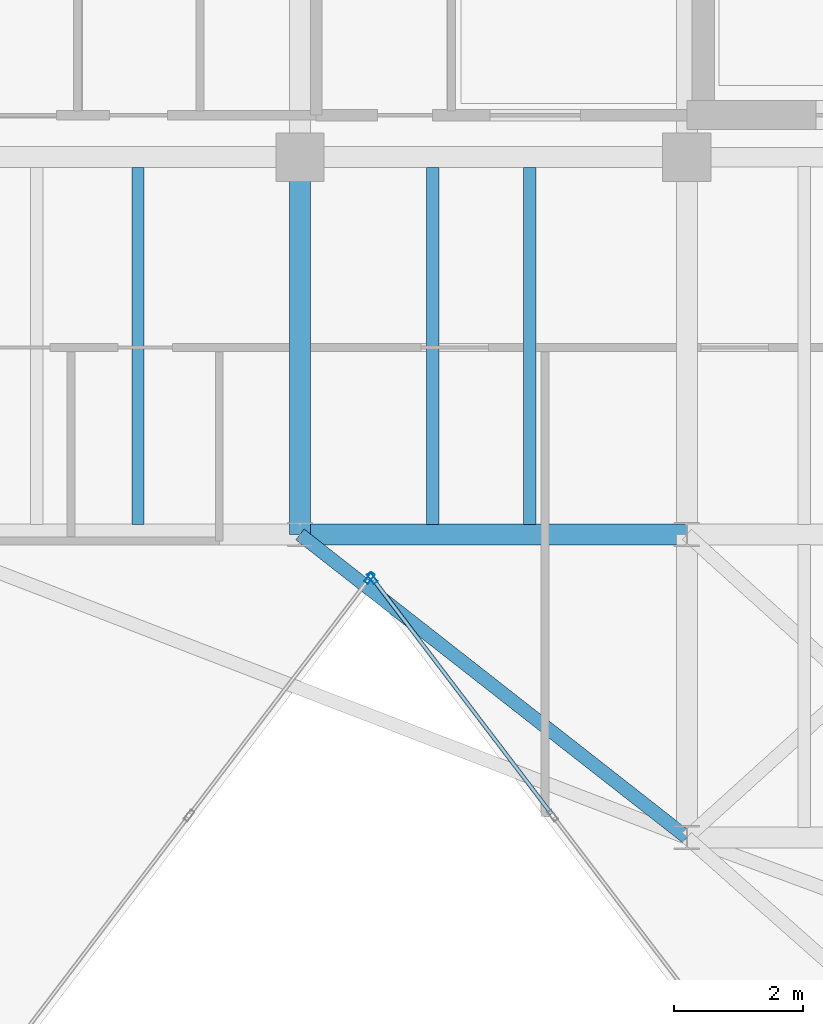
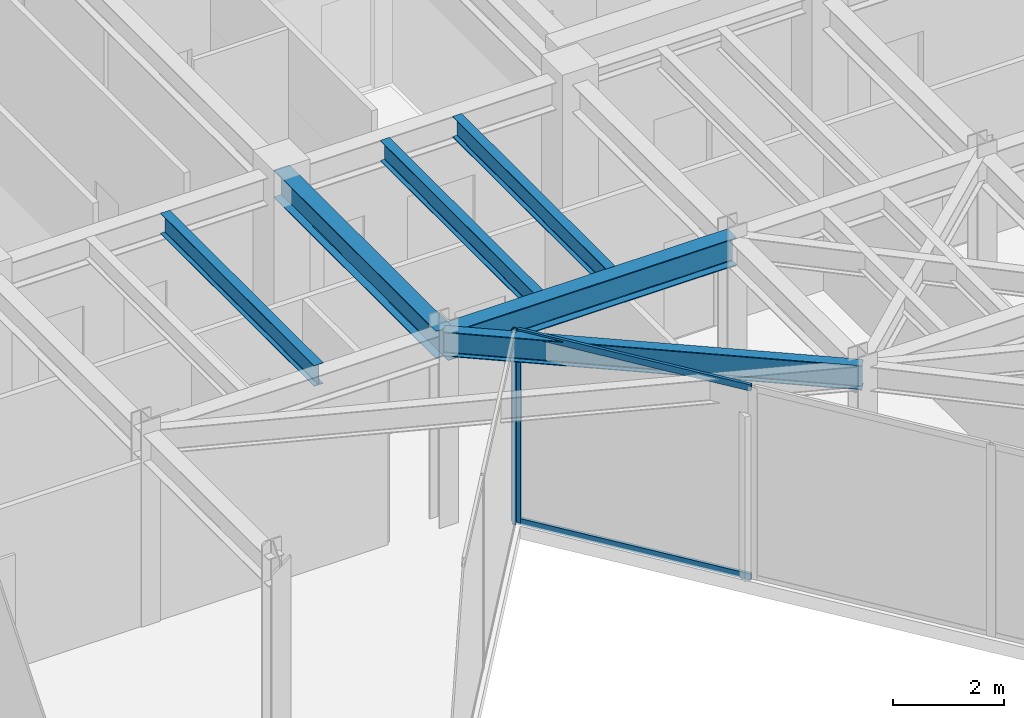
# One storey, part 5 of 17: 6 beams, 4 members, 2 elements without a shape of their own.
"""IFC4 building model written with IfcOpenShell, lengths in metres."""

from ifc_helpers import new_model, si_unit, direction, frame, origin, origin_2d, place, context, subcontext, project, spatial, hollow_rectangle, i_section, extrude, material, layer, layer_set, material_profile, profile_set, type_object, element, aggregate, save


model = new_model("IFC4")

# Units and contexts
model_context = context("Model", 3, precision=1e-05, world=origin(), true_north=direction((0.0, 1.0)))
body_context = subcontext(model_context, "Body", "Model", "MODEL_VIEW")
ifc_project = project(units=[si_unit("LENGTHUNIT", "METRE"), si_unit("AREAUNIT", "SQUARE_METRE"), si_unit("VOLUMEUNIT", "CUBIC_METRE"), si_unit("PLANEANGLEUNIT", "RADIAN"), si_unit("MASSUNIT", "GRAM", prefix="KILO")], contexts=[model_context])

# Site, building, storey
site_placement = place(None, origin())
site = spatial("IfcSite", under=ifc_project, at=site_placement, CompositionType="ELEMENT")
building_placement = place(site_placement, origin())
building = spatial("IfcBuilding", under=site, at=building_placement, Name="Kravanh Interchange Tower", CompositionType="ELEMENT")
storey_placement = place(building_placement, frame((0.0, 0.0, 311.10009765625)))
storey = spatial("IfcBuildingStorey", under=building, at=storey_placement, Name="L77", CompositionType="ELEMENT", Elevation=311.10009765625)

# Curtain wall, member
ifc_material_1 = material(Name="Anodised Bronze Aluminium", Category="aluminium")
ifc_layer = layer(ifc_material_1, 0.179931640625)
ifc_layer_set = layer_set([ifc_layer], Name="Unitised Curtain Wall System CW-SKY Sky Observatory")
curtain_wall_type = type_object("IfcCurtainWallType", Name="Unitised Curtain Wall System CW-SKY Sky Observatory", PredefinedType="NOTDEFINED", material=ifc_layer_set)
curtain_wall_1_placement = place(storey_placement, origin())
curtain_wall_1 = element("IfcCurtainWall", 1, at=curtain_wall_1_placement, inside=storey, type_object=curtain_wall_type, Name="L77 Unitised Curtain Wall CW-L77-05", PredefinedType="NOTDEFINED")
ifc_material_2 = material(Name="Anodised Bronze Aluminium", Category="aluminium")
ifc_material_profile_1 = material_profile(ifc_material_2, hollow_rectangle(XDim=0.070068359375, YDim=0.179931640625, WallThickness=0.00390625, at=origin_2d()), Name="ALU70X180X4")
ifc_profile_set_1 = profile_set([ifc_material_profile_1], Name="Anodised Bronze Aluminium")
member_type_1 = type_object("IfcMemberType", Name="Curtain Wall Mullion ALU70X180X4 Bronze", PredefinedType="MULLION", material=ifc_profile_set_1)
member_1_placement = place(storey_placement, frame((45.921142578125, 30.822998046875, 0.0), z_axis=(0.0, 0.0, 1.0), x_axis=(-0.796161642797, -0.605083992962, 0.0)))
member_1 = element("IfcMember", 2, at=member_1_placement, type_object=member_type_1, Name="CW-SKY mullion 4", PredefinedType="MULLION", context=body_context, shape_type="SweptSolid", body=[
    extrude(hollow_rectangle(XDim=0.070068359375, YDim=0.179931640625, WallThickness=0.00390625, at=origin_2d()), origin(), (0.0, 0.0, 1.0), 4.219970703125),
])

curtain_wall_2_placement = place(storey_placement, origin())
curtain_wall_2 = element("IfcCurtainWall", 3, at=curtain_wall_2_placement, inside=storey, type_object=curtain_wall_type, Name="L77 Unitised Curtain Wall CW-L77-06", PredefinedType="NOTDEFINED")
member_2_placement = place(storey_placement, frame((45.87890625, 30.822998046875, 0.0), z_axis=(0.0, 0.0, 1.0), x_axis=(0.796161642797, -0.605083992962, 0.0)))
member_2 = element("IfcMember", 4, at=member_2_placement, type_object=member_type_1, Name="CW-SKY mullion 1", PredefinedType="MULLION", context=body_context, shape_type="SweptSolid", body=[
    extrude(hollow_rectangle(XDim=0.070068359375, YDim=0.179931640625, WallThickness=0.00390625, at=origin_2d()), origin(), (0.0, 0.0, 1.0), 4.219970703125),
])
aggregate(curtain_wall_2, [member_2])

# Member
ifc_material_3 = material(Name="Anodised Bronze Aluminium", Category="aluminium")
ifc_material_profile_2 = material_profile(ifc_material_3, hollow_rectangle(XDim=0.06005859375, YDim=0.139892578125, WallThickness=0.00390625, at=origin_2d()), Name="ALU60X140X4")
ifc_profile_set_2 = profile_set([ifc_material_profile_2], Name="Anodised Bronze Aluminium")
member_type_2 = type_object("IfcMemberType", Name="Curtain Wall Transom ALU60X140X4 Bronze", PredefinedType="USERDEFINED", material=ifc_profile_set_2)
member_3_placement = place(storey_placement, frame((48.69873046875, 27.16845703125, 0.02978515625), z_axis=(-0.605090062038, 0.796157030254, 0.0), x_axis=(-0.796157030254, -0.605090062038, 0.0)))
member_3 = element("IfcMember", 5, at=member_3_placement, type_object=member_type_2, Name="CW-SKY transom 3.1", ObjectType="TRANSOM", PredefinedType="USERDEFINED", context=body_context, shape_type="SweptSolid", body=[
    extrude(hollow_rectangle(XDim=0.06005859375, YDim=0.139892578125, WallThickness=0.00390625, at=origin_2d()), origin(), (0.0, 0.0, 1.0), 4.55517578125),
])

member_4_placement = place(storey_placement, frame((48.69873046875, 27.16845703125, 4.18994140625), z_axis=(-0.605090062038, 0.796157030254, 0.0), x_axis=(-0.796157030254, -0.605090062038, 0.0)))
member_4 = element("IfcMember", 6, at=member_4_placement, type_object=member_type_2, Name="CW-SKY transom 3.2", ObjectType="TRANSOM", PredefinedType="USERDEFINED", context=body_context, shape_type="SweptSolid", body=[
    extrude(hollow_rectangle(XDim=0.06005859375, YDim=0.139892578125, WallThickness=0.00390625, at=origin_2d()), origin(), (0.0, 0.0, 1.0), 4.55517578125),
])

aggregate(curtain_wall_1, [member_1, member_3, member_4])

# Beams
ifc_material_4 = material(Name="Structural Steel S355", Category="steel")
ifc_material_profile_3 = material_profile(ifc_material_4, i_section(OverallWidth=0.323974609375, OverallDepth=0.611083984375, WebThickness=0.0126953125, FlangeThickness=0.01904296875, FilletRadius=0.02197265625, at=origin_2d()), Name="W24X104")
ifc_profile_set_3 = profile_set([ifc_material_profile_3], Name="Structural Steel S355")
beam_type_1 = type_object("IfcBeamType", Name="Floor Beam W24X104 Structural Steel S355", PredefinedType="BEAM", material=ifc_profile_set_3)
beam_1_placement = place(storey_placement, frame((44.800048828125, 31.5, 3.914306640625), z_axis=(0.0, 1.0, 0.0), x_axis=(-1.0, 0.0, 0.0)))
element("IfcBeam", 7, at=beam_1_placement, inside=storey, type_object=beam_type_1, Name="L77 Primary Floor Girder 1", PredefinedType="BEAM", context=body_context, shape_type="SweptSolid", body=[
    extrude(i_section(OverallWidth=0.323974609375, OverallDepth=0.611083984375, WebThickness=0.0126953125, FlangeThickness=0.01904296875, FilletRadius=0.02197265625, at=origin_2d()), origin(), (0.0, 0.0, 1.0), 5.85009765625),
])
beam_2_placement = place(storey_placement, frame((44.800048828125, 31.5, 3.914306640625), z_axis=(1.0, 0.0, 0.0), x_axis=(0.0, 1.0, 0.0)))
element("IfcBeam", 8, at=beam_2_placement, inside=storey, type_object=beam_type_1, Name="L77 Primary Floor Girder 2", PredefinedType="BEAM", context=body_context, shape_type="SweptSolid", body=[
    extrude(i_section(OverallWidth=0.323974609375, OverallDepth=0.611083984375, WebThickness=0.0126953125, FlangeThickness=0.01904296875, FilletRadius=0.02197265625, at=origin_2d()), origin(), (0.0, 0.0, 1.0), 6.0),
])
ifc_material_5 = material(Name="Structural Steel S355", Category="steel")
ifc_material_profile_4 = material_profile(ifc_material_5, i_section(OverallWidth=0.18994140625, OverallDepth=0.45703125, WebThickness=0.009033203125, FlangeThickness=0.014404296875, FilletRadius=0.01806640625, at=origin_2d()), Name="W18X50")
ifc_profile_set_4 = profile_set([ifc_material_profile_4], Name="Structural Steel S355")
beam_type_2 = type_object("IfcBeamType", Name="Floor Joist W18X50 Structural Steel S355", PredefinedType="JOIST", material=ifc_profile_set_4)
for number, where, z_axis, x_axis, name in (
    (9, (42.2880859375, 31.656982421875, 3.991455078125), (0.0, 1.0, 0.0), (-1.0, 0.0, 0.0), "L77 Secondary Floor Joist 8"),
    (10, (46.860107421875, 31.656982421875, 3.991455078125), (0.0, 1.0, 0.0), (-1.0, 0.0, 0.0), "L77 Secondary Floor Joist 9"),
    (11, (48.364013671875, 31.656982421875, 3.991455078125), (0.0, 1.0, 0.0), (-1.0, 0.0, 0.0), "L77 Secondary Floor Joist 10"),
):
    element("IfcBeam", number, at=place(storey_placement, frame(where, z_axis=z_axis, x_axis=x_axis)), inside=storey, type_object=beam_type_2, Name=name, PredefinedType="JOIST", context=body_context, shape_type="SweptSolid", body=[
        extrude(i_section(OverallWidth=0.18994140625, OverallDepth=0.45703125, WebThickness=0.009033203125, FlangeThickness=0.014404296875, FilletRadius=0.01806640625, at=origin_2d()), origin(), (0.0, 0.0, 1.0), 5.5361328125),
    ])
ifc_material_6 = material(Name="Structural Steel S355", Category="steel")
ifc_material_profile_5 = material_profile(ifc_material_6, i_section(OverallWidth=0.2099609375, OverallDepth=0.537109375, WebThickness=0.010986328125, FlangeThickness=0.017333984375, FilletRadius=0.02001953125, at=origin_2d()), Name="W21X68")
ifc_profile_set_5 = profile_set([ifc_material_profile_5], Name="Structural Steel S355")
beam_type_3 = type_object("IfcBeamType", Name="Floor Spandrel W21X68 Structural Steel S355", PredefinedType="SPANDREL", material=ifc_profile_set_5)
beam_3_placement = place(storey_placement, frame((44.800048828125, 31.5, 3.951416015625), z_axis=(0.787231163579, -0.616658004967, 0.0), x_axis=(0.616658004967, 0.787231163579, 0.0)))
element("IfcBeam", 12, at=beam_3_placement, inside=storey, type_object=beam_type_3, Name="L77 Perimeter Spandrel 4", PredefinedType="SPANDREL", context=body_context, shape_type="SweptSolid", body=[
    extrude(i_section(OverallWidth=0.2099609375, OverallDepth=0.537109375, WebThickness=0.010986328125, FlangeThickness=0.017333984375, FilletRadius=0.02001953125, at=origin_2d()), origin(), (0.0, 0.0, 1.0), 7.62158203125),
])

save(model, "model.ifc")
